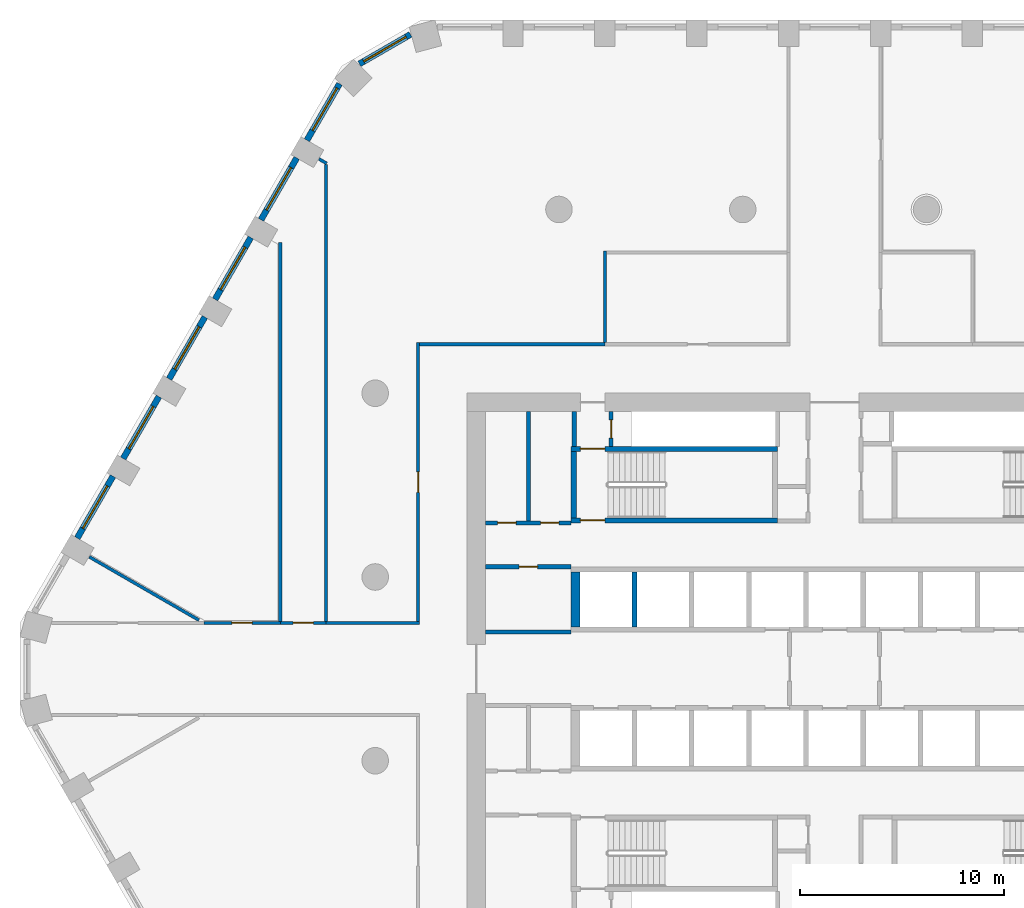
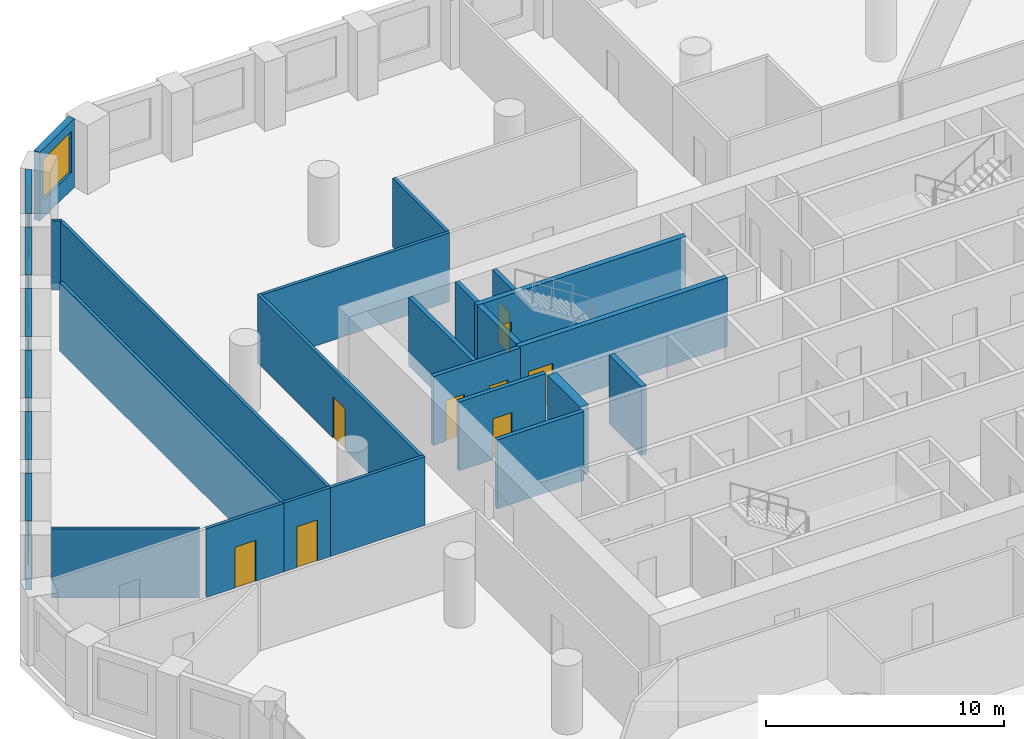
# One storey, part 5 of 14: 28 walls, 9 doors, 7 windows, 16 openings.
"""IFC4 building model written with IfcOpenShell, lengths in metres."""

import ifcopenshell
import ifcopenshell.guid

model = None  # the IFC model being written
_history = None  # IfcOwnerHistory: only IFC2X3 demands one
_inside = {}  # id of a spatial element -> (the spatial element, [elements in it])
_under = {}  # id of a project, library or spatial element -> (it, [spatial elements below it])
_declared = {}  # id of a project -> (the project, [libraries it declares])
_typed = {}  # id of a type object -> (the type object, [elements of that type])
_made_of = {}  # id of a material, layer set ... -> (it, [elements and type objects made of it])


def new_model(schema):
    """Start an empty IFC model of exactly this schema.

    Asked for "IFC4X3", IfcOpenShell would pick the latest addendum, in which some entities
    have other attributes; the version numbers below select the first issue.
    IFC2X3 requires an IfcOwnerHistory on every rooted entity: one is made here for all.
    """
    global model, _history
    if schema == "IFC4X3":
        model = ifcopenshell.file(schema_version=(4, 3, 0, 0))
    else:
        model = ifcopenshell.file(schema=schema)
    _inside.clear()
    _under.clear()
    _declared.clear()
    _typed.clear()
    _made_of.clear()
    _history = None
    if model.schema == "IFC2X3":
        org = make("IfcOrganization", Name="unknown")
        user = make(
            "IfcPersonAndOrganization",
            ThePerson=make("IfcPerson", FamilyName="unknown"),
            TheOrganization=org,
        )
        app = make(
            "IfcApplication",
            ApplicationDeveloper=org,
            Version="unknown",
            ApplicationFullName="unknown",
            ApplicationIdentifier="unknown",
        )
        _history = make(
            "IfcOwnerHistory",
            OwningUser=user,
            OwningApplication=app,
            ChangeAction="ADDED",
            CreationDate=0,
        )
    return model


def make(cls, **values):
    """One entity of the class cls with the attributes given. An attribute that is None is left unset."""
    return model.create_entity(
        cls, **{name: value for name, value in values.items() if value is not None}
    )


def rooted(cls, **values):
    """An entity with a GlobalId (a new one), such as an element, a storey or a relation."""
    return make(cls, GlobalId=ifcopenshell.guid.new(), OwnerHistory=_history, **values)


def si_unit(unit_type, name, prefix=None):
    """IfcSIUnit, for example si_unit("LENGTHUNIT", "METRE", prefix="MILLI")."""
    return make("IfcSIUnit", UnitType=unit_type, Prefix=prefix, Name=name)


def assignment(units):
    """IfcUnitAssignment: the units of a project."""
    return None if units is None else make("IfcUnitAssignment", Units=units)


def point(xyz):
    """IfcCartesianPoint."""
    return None if xyz is None else make("IfcCartesianPoint", Coordinates=xyz)


def direction(xyz):
    """IfcDirection."""
    return None if xyz is None else make("IfcDirection", DirectionRatios=xyz)


def frame(location, z_axis=None, x_axis=None):
    """IfcAxis2Placement3D, a coordinate frame: its origin and axes. An axis left out is left unset."""
    return make(
        "IfcAxis2Placement3D",
        Location=point(location),
        Axis=direction(z_axis),
        RefDirection=direction(x_axis),
    )


def frame_2d(location, x_axis=None):
    """IfcAxis2Placement2D, a coordinate frame in the plane: its origin and x axis."""
    return make(
        "IfcAxis2Placement2D", Location=point(location), RefDirection=direction(x_axis)
    )


def origin():
    """The frame at (0, 0, 0) with its axes left unset."""
    return frame((0.0, 0.0, 0.0))


def place(relative_to, where):
    """IfcLocalPlacement: puts the frame where relative to a parent placement (None: the world)."""
    return make(
        "IfcLocalPlacement", PlacementRelTo=relative_to, RelativePlacement=where
    )


def context(
    kind, dimensions, precision=None, world=None, true_north=None, identifier=None
):
    """IfcGeometricRepresentationContext, for example the 3D "Model" context."""
    return make(
        "IfcGeometricRepresentationContext",
        ContextIdentifier=identifier,
        ContextType=kind,
        CoordinateSpaceDimension=dimensions,
        Precision=precision,
        WorldCoordinateSystem=world,
        TrueNorth=true_north,
    )


def subcontext(parent, identifier, kind, view, scale=None):
    """IfcGeometricRepresentationSubContext, for example "Body" below "Model"."""
    return make(
        "IfcGeometricRepresentationSubContext",
        ContextIdentifier=identifier,
        ContextType=kind,
        ParentContext=parent,
        TargetScale=scale,
        TargetView=view,
    )


def project(units=None, contexts=None):
    """IfcProject with its units and contexts."""
    return rooted(
        "IfcProject",
        Name="project",
        RepresentationContexts=contexts,
        UnitsInContext=assignment(units),
    )


def spatial(cls, under=None, at=None, **own):
    """A site, building, storey or space (cls), placed at a placement, below another one or the project."""
    s = rooted(cls, ObjectPlacement=at, **own)
    if under is not None:
        _under.setdefault(under.id(), (under, []))[1].append(s)
    return s


def polyline(points):
    """IfcPolyline through the points."""
    return make("IfcPolyline", Points=[point(p) for p in points])


def profile(cls, at=None, kind="AREA", **sizes):
    """A parametric profile (cls). Its sizes go by their IFC names, for example OverallWidth=200.0."""
    return make(cls, ProfileType=kind, Position=at, **sizes)


def rectangle(**sizes):
    """IfcRectangleProfileDef."""
    return profile("IfcRectangleProfileDef", **sizes)


def outline(outer, holes=None, kind="AREA"):
    """IfcArbitraryClosedProfileDef: a profile drawn as a closed curve; with holes, ...WithVoids."""
    if holes is None:
        return make("IfcArbitraryClosedProfileDef", ProfileType=kind, OuterCurve=outer)
    return make(
        "IfcArbitraryProfileDefWithVoids",
        ProfileType=kind,
        OuterCurve=outer,
        InnerCurves=holes,
    )


def extrude(swept, where, along, depth):
    """IfcExtrudedAreaSolid: the profile swept, set in the frame where, extruded along a direction by depth."""
    return make(
        "IfcExtrudedAreaSolid",
        SweptArea=swept,
        Position=where,
        ExtrudedDirection=direction(along),
        Depth=depth,
    )


def shape(context_of_items, identifier, shape_type, items):
    """IfcShapeRepresentation: the items that make up one representation, for example the "Body"."""
    return make(
        "IfcShapeRepresentation",
        ContextOfItems=context_of_items,
        RepresentationIdentifier=identifier,
        RepresentationType=shape_type,
        Items=items,
    )


def material(Name=None, Category=None):
    """IfcMaterial."""
    return make("IfcMaterial", Name=Name, Category=Category)


def layer(
    of_material, thickness, ventilated=None, Name=None, Category=None, Priority=None
):
    """IfcMaterialLayer: one layer of a wall or slab, of a material (None: an air gap)."""
    return make(
        "IfcMaterialLayer",
        Material=of_material,
        LayerThickness=thickness,
        IsVentilated=ventilated,
        Name=Name,
        Category=Category,
        Priority=Priority,
    )


def layer_set(layers, Name=None):
    """IfcMaterialLayerSet."""
    return make("IfcMaterialLayerSet", MaterialLayers=layers, LayerSetName=Name)


def made_of(thing, what):
    """Note that an element or type object is made of a material, layer set ...; save() writes the relation."""
    if what is not None:
        _made_of.setdefault(what.id(), (what, []))[1].append(thing)
    return thing


def type_object(cls, material=None, **own):
    """A type object (cls), such as IfcWallType, which elements share."""
    return made_of(rooted(cls, **own), material)


def element(
    cls,
    number,
    at=None,
    inside=None,
    cuts=None,
    type_object=None,
    material=None,
    context=None,
    identifier="Body",
    shape_type=None,
    held_by="IfcProductDefinitionShape",
    body=None,
    shapes=None,
    **own,
):
    """One element of the class cls, such as IfcWall. Its Tag is "e" and its number.

    at: its placement. inside: the storey or other place that contains it. cuts: it is an
    opening in that element (IfcRelVoidsElement). A single representation is given by context,
    identifier, shape_type and body (its items); several are given by shapes. held_by: the class
    of the entity that holds the representations. save() writes the other relations.
    """
    e = rooted(cls, Tag="e%d" % number, ObjectPlacement=at, **own)
    if body is not None:
        shapes = [shape(context, identifier, shape_type, body)]
    if shapes is not None:
        e.Representation = make(held_by, Representations=shapes)
    if inside is not None:
        _inside.setdefault(inside.id(), (inside, []))[1].append(e)
    if cuts is not None:
        rooted(
            "IfcRelVoidsElement", RelatingBuildingElement=cuts, RelatedOpeningElement=e
        )
    if type_object is not None:
        _typed.setdefault(type_object.id(), (type_object, []))[1].append(e)
    return made_of(e, material)


def fill(opening, filler):
    """IfcRelFillsElement: the door or window that sits in an opening."""
    return rooted(
        "IfcRelFillsElement",
        RelatingOpeningElement=opening,
        RelatedBuildingElement=filler,
    )


def aggregate(whole, parts):
    """IfcRelAggregates: a whole, such as a stair, and the parts it consists of."""
    return rooted("IfcRelAggregates", RelatingObject=whole, RelatedObjects=parts)


def save(model, path):
    """Write the relations noted so far, then the file.

    IfcRelAggregates (storeys below a building ...), IfcRelContainedInSpatialStructure (elements
    in a storey), IfcRelDefinesByType, IfcRelAssociatesMaterial and IfcRelDeclares: one each for
    every whole, place, type object, material and project.
    """
    for whole, parts in _under.values():
        aggregate(whole, parts)
    for where, things in _inside.values():
        rooted(
            "IfcRelContainedInSpatialStructure",
            RelatedElements=things,
            RelatingStructure=where,
        )
    for kind, things in _typed.values():
        rooted("IfcRelDefinesByType", RelatedObjects=things, RelatingType=kind)
    for what, things in _made_of.values():
        rooted("IfcRelAssociatesMaterial", RelatedObjects=things, RelatingMaterial=what)
    for by, libraries in _declared.values():
        rooted("IfcRelDeclares", RelatingContext=by, RelatedDefinitions=libraries)
    model.write(path)


model = new_model("IFC4")

# Units and contexts
model_context = context("Model", 3, precision=1e-05, world=origin(), true_north=direction((0.0, 1.0)))
body_context = subcontext(model_context, "Body", "Model", "MODEL_VIEW")
ifc_project = project(units=[si_unit("LENGTHUNIT", "METRE"), si_unit("AREAUNIT", "SQUARE_METRE"), si_unit("VOLUMEUNIT", "CUBIC_METRE"), si_unit("PLANEANGLEUNIT", "RADIAN"), si_unit("MASSUNIT", "GRAM", prefix="KILO")], contexts=[model_context])

# Site, building, storey
site_placement = place(None, origin())
site = spatial("IfcSite", under=ifc_project, at=site_placement, CompositionType="ELEMENT")
building_placement = place(site_placement, origin())
building = spatial("IfcBuilding", under=site, at=building_placement, Name="Dhurran Vertical Campus", CompositionType="ELEMENT")
storey_placement = place(building_placement, frame((0.0, 0.0, 93.0)))
storey = spatial("IfcBuildingStorey", under=building, at=storey_placement, Name="L22", CompositionType="ELEMENT", Elevation=93.0)

# Wall, opening, window
ifc_material_1 = material(Name="Precast concrete C50/60", Category="concrete")
ifc_layer_1 = layer(ifc_material_1, 0.300048828125)
ifc_layer_set_1 = layer_set([ifc_layer_1], Name="Precast concrete C50/60")
wall_type_1 = type_object("IfcWallType", Name="Precast spandrel wall 300", PredefinedType="SOLIDWALL", material=ifc_layer_set_1)
wall_1_placement = place(storey_placement, frame((-20.774169921875, 31.072998046875, 0.0), z_axis=(0.0, 0.0, 1.0), x_axis=(-0.866053149362, -0.49995194017, 0.0)))
wall_1 = element("IfcWall", 1, at=wall_1_placement, inside=storey, type_object=wall_type_1, Name="EW1 L22.35", PredefinedType="SOLIDWALL", context=body_context, shape_type="SweptSolid", body=[
    extrude(rectangle(XDim=2.885498046875, YDim=0.300048828125, at=frame_2d((1.44287109375, 0.0))), origin(), (0.0, 0.0, 1.0), 3.52490234375),
])
opening_1_placement = place(wall_1_placement, frame((0.242919921875, 0.0, 0.89990234375)))
opening_1 = element("IfcOpeningElement", 2, at=opening_1_placement, cuts=wall_1, Name="Opening WT1", PredefinedType="OPENING", context=body_context, shape_type="SweptSolid", body=[
    extrude(rectangle(XDim=2.39990234375, YDim=2.10009765625, at=frame_2d((1.199951171875, 1.050048828125))), frame((0.0, 0.159912109375, 0.0), z_axis=(0.0, -1.0, 0.0), x_axis=(1.0, 0.0, 0.0)), (0.0, 0.0, 1.0), 0.320068359375),
])
ifc_material_2 = material(Name="Aluminium frame with solar-control glass", Category="aluminium")
window_type = type_object("IfcWindowType", Name="Punched window 2400 x 2100", PartitioningType="SINGLE_PANEL", PredefinedType="WINDOW", material=ifc_material_2)
window_1_placement = place(opening_1_placement, origin())
window_1 = element("IfcWindow", 3, at=window_1_placement, inside=storey, type_object=window_type, Name="WT1 L22.35", OverallHeight=2.10009765625, OverallWidth=2.39990234375, PartitioningType="SINGLE_PANEL", PredefinedType="WINDOW", context=body_context, shape_type="SweptSolid", body=[
    extrude(rectangle(XDim=2.39990234375, YDim=2.10009765625, at=frame_2d((1.199951171875, 1.050048828125))), frame((0.0, 0.030029296875, 0.0), z_axis=(0.0, -1.0, 0.0), x_axis=(1.0, 0.0, 0.0)), (0.0, 0.0, 1.0), 0.06005859375),
])
fill(opening_1, window_1)

wall_2_placement = place(storey_placement, frame((-24.24755859375, 28.65576171875, 0.0), z_axis=(0.0, 0.0, 1.0), x_axis=(-0.500004907028, -0.866022570692, 0.0)))
wall_2 = element("IfcWall", 4, at=wall_2_placement, inside=storey, type_object=wall_type_1, Name="EW1 L22.36", PredefinedType="SOLIDWALL", context=body_context, shape_type="SweptSolid", body=[
    extrude(rectangle(XDim=3.1923828125, YDim=0.300048828125, at=frame_2d((1.59619140625, 0.0))), origin(), (0.0, 0.0, 1.0), 3.52490234375),
])
opening_2_placement = place(wall_2_placement, frame((0.242919921875, 0.0, 0.89990234375)))
opening_2 = element("IfcOpeningElement", 5, at=opening_2_placement, cuts=wall_2, Name="Opening WT1", PredefinedType="OPENING", context=body_context, shape_type="SweptSolid", body=[
    extrude(rectangle(XDim=2.39990234375, YDim=2.10009765625, at=frame_2d((1.199951171875, 1.050048828125))), frame((0.0, 0.159912109375, 0.0), z_axis=(0.0, -1.0, 0.0), x_axis=(1.0, 0.0, 0.0)), (0.0, 0.0, 1.0), 0.320068359375),
])
window_2_placement = place(opening_2_placement, origin())
window_2 = element("IfcWindow", 6, at=window_2_placement, inside=storey, type_object=window_type, Name="WT1 L22.36", OverallHeight=2.10009765625, OverallWidth=2.39990234375, PartitioningType="SINGLE_PANEL", PredefinedType="WINDOW", context=body_context, shape_type="SweptSolid", body=[
    extrude(rectangle(XDim=2.39990234375, YDim=2.10009765625, at=frame_2d((1.199951171875, 1.050048828125))), frame((0.0, 0.030029296875, 0.0), z_axis=(0.0, -1.0, 0.0), x_axis=(1.0, 0.0, 0.0)), (0.0, 0.0, 1.0), 0.06005859375),
])
fill(opening_2, window_2)

wall_3_placement = place(storey_placement, frame((-26.34423828125, 25.024169921875, 0.0), z_axis=(0.0, 0.0, 1.0), x_axis=(-0.499996256241, -0.866027565234, 0.0)))
wall_3 = element("IfcWall", 7, at=wall_3_placement, inside=storey, type_object=wall_type_1, Name="EW1 L22.37", PredefinedType="SOLIDWALL", context=body_context, shape_type="SweptSolid", body=[
    extrude(rectangle(XDim=3.4990234375, YDim=0.300048828125, at=frame_2d((1.74951171875, 0.0))), origin(), (0.0, 0.0, 1.0), 3.52490234375),
])
opening_3_placement = place(wall_3_placement, frame((0.549560546875, 0.0, 0.89990234375)))
opening_3 = element("IfcOpeningElement", 8, at=opening_3_placement, cuts=wall_3, Name="Opening WT1", PredefinedType="OPENING", context=body_context, shape_type="SweptSolid", body=[
    extrude(rectangle(XDim=2.39990234375, YDim=2.10009765625, at=frame_2d((1.199951171875, 1.050048828125))), frame((0.0, 0.159912109375, 0.0), z_axis=(0.0, -1.0, 0.0), x_axis=(1.0, 0.0, 0.0)), (0.0, 0.0, 1.0), 0.320068359375),
])
window_3_placement = place(opening_3_placement, origin())
window_3 = element("IfcWindow", 9, at=window_3_placement, inside=storey, type_object=window_type, Name="WT1 L22.37", OverallHeight=2.10009765625, OverallWidth=2.39990234375, PartitioningType="SINGLE_PANEL", PredefinedType="WINDOW", context=body_context, shape_type="SweptSolid", body=[
    extrude(rectangle(XDim=2.39990234375, YDim=2.10009765625, at=frame_2d((1.199951171875, 1.050048828125))), frame((0.0, 0.030029296875, 0.0), z_axis=(0.0, -1.0, 0.0), x_axis=(1.0, 0.0, 0.0)), (0.0, 0.0, 1.0), 0.06005859375),
])
fill(opening_3, window_3)

wall_4_placement = place(storey_placement, frame((-28.59423828125, 21.127197265625, 0.0), z_axis=(0.0, 0.0, 1.0), x_axis=(-0.499996256241, -0.866027565234, 0.0)))
wall_4 = element("IfcWall", 10, at=wall_4_placement, inside=storey, type_object=wall_type_1, Name="EW1 L22.38", PredefinedType="SOLIDWALL", context=body_context, shape_type="SweptSolid", body=[
    extrude(rectangle(XDim=3.4990234375, YDim=0.300048828125, at=frame_2d((1.74951171875, 0.0))), origin(), (0.0, 0.0, 1.0), 3.52490234375),
])
opening_4_placement = place(wall_4_placement, frame((0.549560546875, 0.0, 0.89990234375)))
opening_4 = element("IfcOpeningElement", 11, at=opening_4_placement, cuts=wall_4, Name="Opening WT1", PredefinedType="OPENING", context=body_context, shape_type="SweptSolid", body=[
    extrude(rectangle(XDim=2.39990234375, YDim=2.10009765625, at=frame_2d((1.199951171875, 1.050048828125))), frame((0.0, 0.159912109375, 0.0), z_axis=(0.0, -1.0, 0.0), x_axis=(1.0, 0.0, 0.0)), (0.0, 0.0, 1.0), 0.320068359375),
])
window_4_placement = place(opening_4_placement, origin())
window_4 = element("IfcWindow", 12, at=window_4_placement, inside=storey, type_object=window_type, Name="WT1 L22.38", OverallHeight=2.10009765625, OverallWidth=2.39990234375, PartitioningType="SINGLE_PANEL", PredefinedType="WINDOW", context=body_context, shape_type="SweptSolid", body=[
    extrude(rectangle(XDim=2.39990234375, YDim=2.10009765625, at=frame_2d((1.199951171875, 1.050048828125))), frame((0.0, 0.030029296875, 0.0), z_axis=(0.0, -1.0, 0.0), x_axis=(1.0, 0.0, 0.0)), (0.0, 0.0, 1.0), 0.06005859375),
])
fill(opening_4, window_4)

wall_5_placement = place(storey_placement, frame((-30.84423828125, 17.22998046875, 0.0), z_axis=(0.0, 0.0, 1.0), x_axis=(-0.499996256241, -0.866027565234, 0.0)))
wall_5 = element("IfcWall", 13, at=wall_5_placement, inside=storey, type_object=wall_type_1, Name="EW1 L22.39", PredefinedType="SOLIDWALL", context=body_context, shape_type="SweptSolid", body=[
    extrude(rectangle(XDim=3.4990234375, YDim=0.300048828125, at=frame_2d((1.74951171875, 0.0))), origin(), (0.0, 0.0, 1.0), 3.52490234375),
])
opening_5_placement = place(wall_5_placement, frame((0.549560546875, 0.0, 0.89990234375)))
opening_5 = element("IfcOpeningElement", 14, at=opening_5_placement, cuts=wall_5, Name="Opening WT1", PredefinedType="OPENING", context=body_context, shape_type="SweptSolid", body=[
    extrude(rectangle(XDim=2.39990234375, YDim=2.10009765625, at=frame_2d((1.199951171875, 1.050048828125))), frame((0.0, 0.159912109375, 0.0), z_axis=(0.0, -1.0, 0.0), x_axis=(1.0, 0.0, 0.0)), (0.0, 0.0, 1.0), 0.320068359375),
])
window_5_placement = place(opening_5_placement, origin())
window_5 = element("IfcWindow", 15, at=window_5_placement, inside=storey, type_object=window_type, Name="WT1 L22.39", OverallHeight=2.10009765625, OverallWidth=2.39990234375, PartitioningType="SINGLE_PANEL", PredefinedType="WINDOW", context=body_context, shape_type="SweptSolid", body=[
    extrude(rectangle(XDim=2.39990234375, YDim=2.10009765625, at=frame_2d((1.199951171875, 1.050048828125))), frame((0.0, 0.030029296875, 0.0), z_axis=(0.0, -1.0, 0.0), x_axis=(1.0, 0.0, 0.0)), (0.0, 0.0, 1.0), 0.06005859375),
])
fill(opening_5, window_5)

wall_6_placement = place(storey_placement, frame((-33.09423828125, 13.3330078125, 0.0), z_axis=(0.0, 0.0, 1.0), x_axis=(-0.499996256241, -0.866027565234, 0.0)))
wall_6 = element("IfcWall", 16, at=wall_6_placement, inside=storey, type_object=wall_type_1, Name="EW1 L22.40", PredefinedType="SOLIDWALL", context=body_context, shape_type="SweptSolid", body=[
    extrude(rectangle(XDim=3.4990234375, YDim=0.300048828125, at=frame_2d((1.74951171875, 0.0))), origin(), (0.0, 0.0, 1.0), 3.52490234375),
])
opening_6_placement = place(wall_6_placement, frame((0.549560546875, 0.0, 0.89990234375)))
opening_6 = element("IfcOpeningElement", 17, at=opening_6_placement, cuts=wall_6, Name="Opening WT1", PredefinedType="OPENING", context=body_context, shape_type="SweptSolid", body=[
    extrude(rectangle(XDim=2.39990234375, YDim=2.10009765625, at=frame_2d((1.199951171875, 1.050048828125))), frame((0.0, 0.159912109375, 0.0), z_axis=(0.0, -1.0, 0.0), x_axis=(1.0, 0.0, 0.0)), (0.0, 0.0, 1.0), 0.320068359375),
])
window_6_placement = place(opening_6_placement, origin())
window_6 = element("IfcWindow", 18, at=window_6_placement, inside=storey, type_object=window_type, Name="WT1 L22.40", OverallHeight=2.10009765625, OverallWidth=2.39990234375, PartitioningType="SINGLE_PANEL", PredefinedType="WINDOW", context=body_context, shape_type="SweptSolid", body=[
    extrude(rectangle(XDim=2.39990234375, YDim=2.10009765625, at=frame_2d((1.199951171875, 1.050048828125))), frame((0.0, 0.030029296875, 0.0), z_axis=(0.0, -1.0, 0.0), x_axis=(1.0, 0.0, 0.0)), (0.0, 0.0, 1.0), 0.06005859375),
])
fill(opening_6, window_6)

wall_7_placement = place(storey_placement, frame((-35.34423828125, 9.435791015625, 0.0), z_axis=(0.0, 0.0, 1.0), x_axis=(-0.499996256241, -0.866027565234, 0.0)))
wall_7 = element("IfcWall", 19, at=wall_7_placement, inside=storey, type_object=wall_type_1, Name="EW1 L22.41", PredefinedType="SOLIDWALL", context=body_context, shape_type="SweptSolid", body=[
    extrude(rectangle(XDim=3.4990234375, YDim=0.300048828125, at=frame_2d((1.74951171875, 0.0))), origin(), (0.0, 0.0, 1.0), 3.52490234375),
])
opening_7_placement = place(wall_7_placement, frame((0.549560546875, 0.0, 0.89990234375)))
opening_7 = element("IfcOpeningElement", 20, at=opening_7_placement, cuts=wall_7, Name="Opening WT1", PredefinedType="OPENING", context=body_context, shape_type="SweptSolid", body=[
    extrude(rectangle(XDim=2.39990234375, YDim=2.10009765625, at=frame_2d((1.199951171875, 1.050048828125))), frame((0.0, 0.159912109375, 0.0), z_axis=(0.0, -1.0, 0.0), x_axis=(1.0, 0.0, 0.0)), (0.0, 0.0, 1.0), 0.320068359375),
])
window_7_placement = place(opening_7_placement, origin())
window_7 = element("IfcWindow", 21, at=window_7_placement, inside=storey, type_object=window_type, Name="WT1 L22.41", OverallHeight=2.10009765625, OverallWidth=2.39990234375, PartitioningType="SINGLE_PANEL", PredefinedType="WINDOW", context=body_context, shape_type="SweptSolid", body=[
    extrude(rectangle(XDim=2.39990234375, YDim=2.10009765625, at=frame_2d((1.199951171875, 1.050048828125))), frame((0.0, 0.030029296875, 0.0), z_axis=(0.0, -1.0, 0.0), x_axis=(1.0, 0.0, 0.0)), (0.0, 0.0, 1.0), 0.06005859375),
])
fill(opening_7, window_7)

# Wall
ifc_material_3 = material(Name="Fire-rated masonry blockwork", Category="masonry")
ifc_layer_2 = layer(ifc_material_3, 0.199951171875)
ifc_layer_set_2 = layer_set([ifc_layer_2], Name="Fire-rated masonry blockwork")
wall_type_2 = type_object("IfcWallType", Name="co-FIRE-PARTITION-200", PredefinedType="PARTITIONING", material=ifc_layer_set_2)
wall_8_placement = place(storey_placement, frame((-12.75, 10.89990234375, 0.0), z_axis=(0.0, 0.0, 1.0), x_axis=(0.0, 1.0, 0.0)))
element("IfcWall", 22, at=wall_8_placement, inside=storey, type_object=wall_type_2, Name="Core partition pass-ST1-o L22", PredefinedType="PARTITIONING", context=body_context, shape_type="SweptSolid", body=[
    extrude(rectangle(XDim=1.7001953125, YDim=0.199951171875, at=frame_2d((0.85009765625, 0.0))), origin(), (0.0, 0.0, 1.0), 3.52490234375),
])

# Wall, opening, door
wall_9_placement = place(storey_placement, frame((-10.949951171875, 10.89990234375, 0.0), z_axis=(0.0, 0.0, 1.0), x_axis=(0.0, 1.0, 0.0)))
wall_9 = element("IfcWall", 23, at=wall_9_placement, inside=storey, type_object=wall_type_2, Name="Core partition pass-ST1-i L22", PredefinedType="PARTITIONING", context=body_context, shape_type="SweptSolid", body=[
    extrude(rectangle(XDim=1.7001953125, YDim=0.199951171875, at=frame_2d((0.85009765625, 0.0))), origin(), (0.0, 0.0, 1.0), 3.52490234375),
])
opening_8_placement = place(wall_9_placement, frame((0.39990234375, 0.0, 0.0)))
opening_8 = element("IfcOpeningElement", 24, at=opening_8_placement, cuts=wall_9, Name="Opening T06-C8", PredefinedType="OPENING", context=body_context, shape_type="SweptSolid", body=[
    extrude(rectangle(XDim=0.89990234375, YDim=2.10009765625, at=frame_2d((0.449951171875, 1.050048828125))), frame((0.0, 0.10986328125, 0.0), z_axis=(0.0, -1.0, 0.0), x_axis=(1.0, 0.0, 0.0)), (0.0, 0.0, 1.0), 0.219970703125),
])
ifc_material_4 = material(Name="Fire-rated timber door set", Category="wood")
door_type_1 = type_object("IfcDoorType", Name="co-D-ROOM 900x2100", OperationType="SINGLE_SWING_LEFT", PredefinedType="DOOR", material=ifc_material_4)
door_1_placement = place(opening_8_placement, origin())
door_1 = element("IfcDoor", 25, at=door_1_placement, inside=storey, type_object=door_type_1, Name="Riser room door L22", OperationType="SINGLE_SWING_LEFT", OverallHeight=2.10009765625, OverallWidth=0.89990234375, PredefinedType="DOOR", context=body_context, shape_type="SweptSolid", body=[
    extrude(rectangle(XDim=0.89990234375, YDim=2.10009765625, at=frame_2d((0.449951171875, 1.050048828125))), frame((0.0, 0.02490234375, 0.0), z_axis=(0.0, -1.0, 0.0), x_axis=(1.0, 0.0, 0.0)), (0.0, 0.0, 1.0), 0.050048828125),
])
fill(opening_8, door_1)

# Wall
wall_10_placement = place(storey_placement, frame((-15.0, 7.14990234375, 0.0), z_axis=(0.0, 0.0, 1.0), x_axis=(0.0, 1.0, 0.0)))
element("IfcWall", 26, at=wall_10_placement, inside=storey, type_object=wall_type_2, Name="Core partition en-NW-cut0 L22", PredefinedType="PARTITIONING", context=body_context, shape_type="SweptSolid", body=[
    extrude(rectangle(XDim=5.4501953125, YDim=0.199951171875, at=frame_2d((2.72509765625, 0.0))), origin(), (0.0, 0.0, 1.0), 3.52490234375),
])

# Wall, openings, doors
wall_11_placement = place(storey_placement, frame((-17.10009765625, 7.14990234375, 0.0), z_axis=(0.0, 0.0, 1.0), x_axis=(1.0, 0.0, 0.0)))
wall_11 = element("IfcWall", 27, at=wall_11_placement, inside=storey, type_object=wall_type_2, Name="Core partition en-NW-w L22", PredefinedType="PARTITIONING", context=body_context, shape_type="SweptSolid", body=[
    extrude(rectangle(XDim=4.2001953125, YDim=0.199951171875, at=frame_2d((2.10009765625, 0.0))), origin(), (0.0, 0.0, 1.0), 3.52490234375),
])
opening_9_placement = place(wall_11_placement, frame((0.60009765625, 0.0, 0.0)))
opening_9 = element("IfcOpeningElement", 28, at=opening_9_placement, cuts=wall_11, Name="Opening T06-C12", PredefinedType="OPENING", context=body_context, shape_type="SweptSolid", body=[
    extrude(rectangle(XDim=0.89990234375, YDim=2.10009765625, at=frame_2d((0.449951171875, 1.050048828125))), frame((0.0, 0.10986328125, 0.0), z_axis=(0.0, -1.0, 0.0), x_axis=(1.0, 0.0, 0.0)), (0.0, 0.0, 1.0), 0.219970703125),
])
opening_10_placement = place(wall_11_placement, frame((2.699951171875, 0.0, 0.0)))
opening_10 = element("IfcOpeningElement", 29, at=opening_10_placement, cuts=wall_11, Name="Opening T06-C13", PredefinedType="OPENING", context=body_context, shape_type="SweptSolid", body=[
    extrude(rectangle(XDim=0.89990234375, YDim=2.10009765625, at=frame_2d((0.449951171875, 1.050048828125))), frame((0.0, 0.10986328125, 0.0), z_axis=(0.0, -1.0, 0.0), x_axis=(1.0, 0.0, 0.0)), (0.0, 0.0, 1.0), 0.219970703125),
])
door_2_placement = place(opening_9_placement, origin())
door_2 = element("IfcDoor", 30, at=door_2_placement, inside=storey, type_object=door_type_1, Name="Housekeeping store door L22", OperationType="SINGLE_SWING_LEFT", OverallHeight=2.10009765625, OverallWidth=0.89990234375, PredefinedType="DOOR", context=body_context, shape_type="SweptSolid", body=[
    extrude(rectangle(XDim=0.89990234375, YDim=2.10009765625, at=frame_2d((0.449951171875, 1.050048828125))), frame((0.0, 0.02490234375, 0.0), z_axis=(0.0, -1.0, 0.0), x_axis=(1.0, 0.0, 0.0)), (0.0, 0.0, 1.0), 0.050048828125),
])
fill(opening_9, door_2)
door_3_placement = place(opening_10_placement, origin())
door_3 = element("IfcDoor", 31, at=door_3_placement, inside=storey, type_object=door_type_1, Name="Waste room door L22", OperationType="SINGLE_SWING_LEFT", OverallHeight=2.10009765625, OverallWidth=0.89990234375, PredefinedType="DOOR", context=body_context, shape_type="SweptSolid", body=[
    extrude(rectangle(XDim=0.89990234375, YDim=2.10009765625, at=frame_2d((0.449951171875, 1.050048828125))), frame((0.0, 0.02490234375, 0.0), z_axis=(0.0, -1.0, 0.0), x_axis=(1.0, 0.0, 0.0)), (0.0, 0.0, 1.0), 0.050048828125),
])
fill(opening_10, door_3)

# Wall, opening, door
wall_12_placement = place(storey_placement, frame((-17.10009765625, 5.0, 0.0), z_axis=(0.0, 0.0, 1.0), x_axis=(1.0, 0.0, 0.0)))
wall_12 = element("IfcWall", 32, at=wall_12_placement, inside=storey, type_object=wall_type_2, Name="Core partition es-NW-w L22", PredefinedType="PARTITIONING", context=body_context, shape_type="SweptSolid", body=[
    extrude(rectangle(XDim=4.2001953125, YDim=0.199951171875, at=frame_2d((2.10009765625, 0.0))), origin(), (0.0, 0.0, 1.0), 3.52490234375),
])
opening_11_placement = place(wall_12_placement, frame((1.64990234375, 0.0, 0.0)))
opening_11 = element("IfcOpeningElement", 33, at=opening_11_placement, cuts=wall_12, Name="Opening T06-C14", PredefinedType="OPENING", context=body_context, shape_type="SweptSolid", body=[
    extrude(rectangle(XDim=0.89990234375, YDim=2.10009765625, at=frame_2d((0.449951171875, 1.050048828125))), frame((0.0, 0.10986328125, 0.0), z_axis=(0.0, -1.0, 0.0), x_axis=(1.0, 0.0, 0.0)), (0.0, 0.0, 1.0), 0.219970703125),
])
door_4_placement = place(opening_11_placement, origin())
door_4 = element("IfcDoor", 34, at=door_4_placement, inside=storey, type_object=door_type_1, Name="Water riser door L22", OperationType="SINGLE_SWING_LEFT", OverallHeight=2.10009765625, OverallWidth=0.89990234375, PredefinedType="DOOR", context=body_context, shape_type="SweptSolid", body=[
    extrude(rectangle(XDim=0.89990234375, YDim=2.10009765625, at=frame_2d((0.449951171875, 1.050048828125))), frame((0.0, 0.02490234375, 0.0), z_axis=(0.0, -1.0, 0.0), x_axis=(1.0, 0.0, 0.0)), (0.0, 0.0, 1.0), 0.050048828125),
])
fill(opening_11, door_4)

# Walls
wall_13_placement = place(storey_placement, frame((-17.10009765625, 1.800048828125, 0.0), z_axis=(0.0, 0.0, 1.0), x_axis=(1.0, 0.0, 0.0)))
element("IfcWall", 35, at=wall_13_placement, inside=storey, type_object=wall_type_2, Name="Core partition es-NW-l L22", PredefinedType="PARTITIONING", context=body_context, shape_type="SweptSolid", body=[
    extrude(rectangle(XDim=4.2001953125, YDim=0.199951171875, at=frame_2d((2.10009765625, 0.0))), origin(), (0.0, 0.0, 1.0), 3.52490234375),
])
ifc_material_5 = material(Name="Concrete C50/60", Category="concrete")
ifc_layer_3 = layer(ifc_material_5, 0.25)
ifc_layer_set_3 = layer_set([ifc_layer_3], Name="Concrete C50/60")
wall_type_3 = type_object("IfcWallType", Name="co-SHAFT-MASS-250", PredefinedType="SHEAR", material=ifc_layer_set_3)
wall_14_placement = place(storey_placement, origin())
element("IfcWall", 36, at=wall_14_placement, inside=storey, type_object=wall_type_3, Name="Lift shaft wall N L22 2", PredefinedType="SHEAR", context=body_context, shape_type="SweptSolid", body=[
    extrude(outline(polyline([(-12.89990234375, 2.050048828125), (-12.47509765625, 2.050048828125), (-12.47509765625, 4.75), (-12.89990234375, 4.75), (-12.89990234375, 2.050048828125)])), origin(), (0.0, 0.0, 1.0), 3.52490234375),
])
wall_15_placement = place(storey_placement, origin())
element("IfcWall", 37, at=wall_15_placement, inside=storey, type_object=wall_type_3, Name="Lift shaft wall N L22 3", PredefinedType="SHEAR", context=body_context, shape_type="SweptSolid", body=[
    extrude(outline(polyline([(-9.925048828125, 2.050048828125), (-9.675048828125, 2.050048828125), (-9.675048828125, 4.75), (-9.925048828125, 4.75), (-9.925048828125, 2.050048828125)])), origin(), (0.0, 0.0, 1.0), 3.52490234375),
])

# Wall, opening, door
ifc_material_6 = material(Name="Concrete C40/50", Category="concrete")
ifc_layer_4 = layer(ifc_material_6, 0.25)
ifc_layer_set_4 = layer_set([ifc_layer_4], Name="Concrete C40/50")
wall_type_4 = type_object("IfcWallType", Name="co-STAIR-WALL-250", PredefinedType="SHEAR", material=ifc_layer_set_4)
wall_16_placement = place(storey_placement, frame((-12.89990234375, 7.27490234375, 0.0), z_axis=(0.0, 0.0, 1.0), x_axis=(1.0, 0.0, 0.0)))
wall_16 = element("IfcWall", 38, at=wall_16_placement, inside=storey, type_object=wall_type_4, Name="Stair ST1 enclosure wall L22", PredefinedType="SHEAR", context=body_context, shape_type="SweptSolid", body=[
    extrude(rectangle(XDim=10.099853515625, YDim=0.25, at=frame_2d((5.0498046875, 0.0))), origin(), (0.0, 0.0, 1.0), 3.52490234375),
])
opening_12_placement = place(wall_16_placement, frame((0.449951171875, 0.0, 0.0)))
opening_12 = element("IfcOpeningElement", 39, at=opening_12_placement, cuts=wall_16, Name="Opening SD1", PredefinedType="OPENING", context=body_context, shape_type="SweptSolid", body=[
    extrude(rectangle(XDim=1.199951171875, YDim=2.10009765625, at=frame_2d((0.60009765625, 1.050048828125))), frame((0.0, 0.135009765625, 0.0), z_axis=(0.0, -1.0, 0.0), x_axis=(1.0, 0.0, 0.0)), (0.0, 0.0, 1.0), 0.27001953125),
])
ifc_material_7 = material(Name="Fire-rated steel door set", Category="steel")
door_type_2 = type_object("IfcDoorType", Name="co-D-STAIR 1200x2100", OperationType="SINGLE_SWING_LEFT", PredefinedType="DOOR", material=ifc_material_7)
door_5_placement = place(opening_12_placement, origin())
door_5 = element("IfcDoor", 40, at=door_5_placement, inside=storey, type_object=door_type_2, Name="Stair ST1 door L22", OperationType="SINGLE_SWING_LEFT", OverallHeight=2.10009765625, OverallWidth=1.199951171875, PredefinedType="DOOR", context=body_context, shape_type="SweptSolid", body=[
    extrude(rectangle(XDim=1.199951171875, YDim=2.10009765625, at=frame_2d((0.60009765625, 1.050048828125))), frame((0.0, 0.02490234375, 0.0), z_axis=(0.0, -1.0, 0.0), x_axis=(1.0, 0.0, 0.0)), (0.0, 0.0, 1.0), 0.050048828125),
])
fill(opening_12, door_5)

wall_17_placement = place(storey_placement, frame((-12.89990234375, 10.77490234375, 0.0), z_axis=(0.0, 0.0, 1.0), x_axis=(1.0, 0.0, 0.0)))
wall_17 = element("IfcWall", 41, at=wall_17_placement, inside=storey, type_object=wall_type_4, Name="Stair ST1 enclosure wall L22", PredefinedType="SHEAR", context=body_context, shape_type="SweptSolid", body=[
    extrude(rectangle(XDim=10.099853515625, YDim=0.25, at=frame_2d((5.0498046875, 0.0))), origin(), (0.0, 0.0, 1.0), 3.52490234375),
])
opening_13_placement = place(wall_17_placement, frame((0.449951171875, 0.0, 0.0)))
opening_13 = element("IfcOpeningElement", 42, at=opening_13_placement, cuts=wall_17, Name="Opening XS1", PredefinedType="OPENING", context=body_context, shape_type="SweptSolid", body=[
    extrude(rectangle(XDim=1.199951171875, YDim=2.10009765625, at=frame_2d((0.60009765625, 1.050048828125))), frame((0.0, 0.135009765625, 0.0), z_axis=(0.0, -1.0, 0.0), x_axis=(1.0, 0.0, 0.0)), (0.0, 0.0, 1.0), 0.27001953125),
])
ifc_material_8 = material(Name="Fire-rated steel door set", Category="steel")
door_type_3 = type_object("IfcDoorType", Name="co-D-STAIR-EXIT 1200x2100", OperationType="SINGLE_SWING_RIGHT", PredefinedType="DOOR", material=ifc_material_8)
door_6_placement = place(opening_13_placement, origin())
door_6 = element("IfcDoor", 43, at=door_6_placement, inside=storey, type_object=door_type_3, Name="Stair ST1 discharge door L22", OperationType="SINGLE_SWING_RIGHT", OverallHeight=2.10009765625, OverallWidth=1.199951171875, PredefinedType="DOOR", context=body_context, shape_type="SweptSolid", body=[
    extrude(rectangle(XDim=1.199951171875, YDim=2.10009765625, at=frame_2d((0.60009765625, 1.050048828125))), frame((0.0, 0.02490234375, 0.0), z_axis=(0.0, -1.0, 0.0), x_axis=(1.0, 0.0, 0.0)), (0.0, 0.0, 1.0), 0.050048828125),
])
fill(opening_13, door_6)

# Wall
wall_18_placement = place(storey_placement, frame((-12.77490234375, 7.39990234375, 0.0), z_axis=(0.0, 0.0, 1.0), x_axis=(0.0, 1.0, 0.0)))
element("IfcWall", 44, at=wall_18_placement, inside=storey, type_object=wall_type_4, Name="Stair ST1 enclosure wall L22", PredefinedType="SHEAR", context=body_context, shape_type="SweptSolid", body=[
    extrude(rectangle(XDim=3.25, YDim=0.25, at=frame_2d((1.625, 0.0))), origin(), (0.0, 0.0, 1.0), 3.52490234375),
])

# Wall, opening, door
ifc_material_9 = material(Name="Gypsum board corridor wall on steel studs", Category="steel")
ifc_layer_5 = layer(ifc_material_9, 0.14990234375)
ifc_layer_set_5 = layer_set([ifc_layer_5], Name="Gypsum board corridor wall on steel studs")
wall_type_5 = type_object("IfcWallType", Name="fl-CW-150 corridor wall", PredefinedType="PARTITIONING", material=ifc_layer_set_5)
wall_19_placement = place(storey_placement, frame((-30.89697265625, 2.25, 0.0), z_axis=(0.0, 0.0, 1.0), x_axis=(1.0, 0.0, 0.0)))
wall_19 = element("IfcWall", 45, at=wall_19_placement, inside=storey, type_object=wall_type_5, Name="Partition 22-06", PredefinedType="PARTITIONING", context=body_context, shape_type="SweptSolid", body=[
    extrude(rectangle(XDim=3.7470703125, YDim=0.14990234375, at=frame_2d((1.87353515625, 0.0))), origin(), (0.0, 0.0, 1.0), 3.52490234375),
])
opening_14_placement = place(wall_19_placement, frame((1.37353515625, 0.0, 0.0)))
opening_14 = element("IfcOpeningElement", 46, at=opening_14_placement, cuts=wall_19, Name="Opening T06.03", PredefinedType="OPENING", context=body_context, shape_type="SweptSolid", body=[
    extrude(rectangle(XDim=1.0, YDim=2.10009765625, at=frame_2d((0.5, 1.050048828125))), frame((0.0, 0.0849609375, 0.0), z_axis=(0.0, -1.0, 0.0), x_axis=(1.0, 0.0, 0.0)), (0.0, 0.0, 1.0), 0.169921875),
])
ifc_material_10 = material(Name="Solid-core timber door set, fire-rated", Category="wood")
door_type_4 = type_object("IfcDoorType", Name="fl-D-1000x2100", OperationType="SINGLE_SWING_LEFT", PredefinedType="DOOR", material=ifc_material_10)
door_7_placement = place(opening_14_placement, origin())
door_7 = element("IfcDoor", 47, at=door_7_placement, inside=storey, type_object=door_type_4, Name="Door 22.03", OperationType="SINGLE_SWING_RIGHT", OverallHeight=2.10009765625, OverallWidth=1.0, PredefinedType="DOOR", context=body_context, shape_type="SweptSolid", body=[
    extrude(rectangle(XDim=1.0, YDim=2.10009765625, at=frame_2d((0.5, 1.050048828125))), frame((0.0, 0.02490234375, 0.0), z_axis=(0.0, -1.0, 0.0), x_axis=(1.0, 0.0, 0.0)), (0.0, 0.0, 1.0), 0.050048828125),
])
fill(opening_14, door_7)

wall_20_placement = place(storey_placement, frame((-27.14990234375, 2.25, 0.0), z_axis=(0.0, 0.0, 1.0), x_axis=(1.0, 0.0, 0.0)))
wall_20 = element("IfcWall", 48, at=wall_20_placement, inside=storey, type_object=wall_type_5, Name="Partition 22-09", PredefinedType="PARTITIONING", context=body_context, shape_type="SweptSolid", body=[
    extrude(rectangle(XDim=2.25, YDim=0.14990234375, at=frame_2d((1.125, 0.0))), origin(), (0.0, 0.0, 1.0), 3.52490234375),
])
opening_15_placement = place(wall_20_placement, frame((0.625, 0.0, 0.0)))
opening_15 = element("IfcOpeningElement", 49, at=opening_15_placement, cuts=wall_20, Name="Opening T06.05", PredefinedType="OPENING", context=body_context, shape_type="SweptSolid", body=[
    extrude(rectangle(XDim=1.0, YDim=2.10009765625, at=frame_2d((0.5, 1.050048828125))), frame((0.0, 0.0849609375, 0.0), z_axis=(0.0, -1.0, 0.0), x_axis=(1.0, 0.0, 0.0)), (0.0, 0.0, 1.0), 0.169921875),
])
door_8_placement = place(opening_15_placement, origin())
door_8 = element("IfcDoor", 50, at=door_8_placement, inside=storey, type_object=door_type_4, Name="Door 22.05", OperationType="SINGLE_SWING_LEFT", OverallHeight=2.10009765625, OverallWidth=1.0, PredefinedType="DOOR", context=body_context, shape_type="SweptSolid", body=[
    extrude(rectangle(XDim=1.0, YDim=2.10009765625, at=frame_2d((0.5, 1.050048828125))), frame((0.0, 0.02490234375, 0.0), z_axis=(0.0, -1.0, 0.0), x_axis=(1.0, 0.0, 0.0)), (0.0, 0.0, 1.0), 0.050048828125),
])
fill(opening_15, door_8)

# Wall
wall_21_placement = place(storey_placement, frame((-24.89990234375, 2.25, 0.0), z_axis=(0.0, 0.0, 1.0), x_axis=(1.0, 0.0, 0.0)))
element("IfcWall", 51, at=wall_21_placement, inside=storey, type_object=wall_type_5, Name="Partition 22-12", PredefinedType="PARTITIONING", context=body_context, shape_type="SweptSolid", body=[
    extrude(rectangle(XDim=4.574951171875, YDim=0.14990234375, at=frame_2d((2.28759765625, 0.0))), origin(), (0.0, 0.0, 1.0), 3.52490234375),
])

# Wall, opening, door
wall_22_placement = place(storey_placement, frame((-20.39990234375, 15.97509765625, 0.0), z_axis=(0.0, 0.0, 1.0), x_axis=(0.0, -1.0, 0.0)))
wall_22 = element("IfcWall", 52, at=wall_22_placement, inside=storey, type_object=wall_type_5, Name="Partition 22-15", PredefinedType="PARTITIONING", context=body_context, shape_type="SweptSolid", body=[
    extrude(rectangle(XDim=13.650146484375, YDim=0.14990234375, at=frame_2d((6.8251953125, 0.0))), origin(), (0.0, 0.0, 1.0), 3.52490234375),
])
opening_16_placement = place(wall_22_placement, frame((6.324951171875, 0.0, 0.0)))
opening_16 = element("IfcOpeningElement", 53, at=opening_16_placement, cuts=wall_22, Name="Opening T06.06", PredefinedType="OPENING", context=body_context, shape_type="SweptSolid", body=[
    extrude(rectangle(XDim=1.0, YDim=2.10009765625, at=frame_2d((0.5, 1.050048828125))), frame((0.0, 0.0849609375, 0.0), z_axis=(0.0, -1.0, 0.0), x_axis=(1.0, 0.0, 0.0)), (0.0, 0.0, 1.0), 0.169921875),
])
door_9_placement = place(opening_16_placement, origin())
door_9 = element("IfcDoor", 54, at=door_9_placement, inside=storey, type_object=door_type_4, Name="Door 22.06", OperationType="SINGLE_SWING_RIGHT", OverallHeight=2.10009765625, OverallWidth=1.0, PredefinedType="DOOR", context=body_context, shape_type="SweptSolid", body=[
    extrude(rectangle(XDim=1.0, YDim=2.10009765625, at=frame_2d((0.5, 1.050048828125))), frame((0.0, 0.02490234375, 0.0), z_axis=(0.0, -1.0, 0.0), x_axis=(1.0, 0.0, 0.0)), (0.0, 0.0, 1.0), 0.050048828125),
])
fill(opening_16, door_9)

# Walls
wall_23_placement = place(storey_placement, frame((-11.25, 15.89990234375, 0.0), z_axis=(0.0, 0.0, 1.0), x_axis=(-1.0, 0.0, 0.0)))
element("IfcWall", 55, at=wall_23_placement, inside=storey, type_object=wall_type_5, Name="Partition 22-16", PredefinedType="PARTITIONING", context=body_context, shape_type="SweptSolid", body=[
    extrude(rectangle(XDim=9.074951171875, YDim=0.14990234375, at=frame_2d((4.53759765625, 0.0))), origin(), (0.0, 0.0, 1.0), 3.52490234375),
])
ifc_material_11 = material(Name="Gypsum board partition on steel studs", Category="steel")
ifc_layer_6 = layer(ifc_material_11, 0.14990234375)
ifc_layer_set_6 = layer_set([ifc_layer_6], Name="Gypsum board partition on steel studs")
wall_type_6 = type_object("IfcWallType", Name="fl-PW-150 fixed partition", PredefinedType="PARTITIONING", material=ifc_layer_set_6)
wall_24_placement = place(storey_placement, frame((-36.50390625, 5.4873046875, 0.0), z_axis=(0.0, 0.0, 1.0), x_axis=(0.866007197923, -0.500031532152, 0.0)))
element("IfcWall", 56, at=wall_24_placement, inside=storey, type_object=wall_type_6, Name="Partition 22-04", PredefinedType="PARTITIONING", context=body_context, shape_type="SweptSolid", body=[
    extrude(rectangle(XDim=6.19921875, YDim=0.14990234375, at=frame_2d((3.099609375, 0.0))), origin(), (0.0, 0.0, 1.0), 3.52490234375),
])
wall_25_placement = place(storey_placement, frame((-27.14990234375, 20.87109375, 0.0), z_axis=(0.0, 0.0, 1.0), x_axis=(0.0, -1.0, 0.0)))
element("IfcWall", 57, at=wall_25_placement, inside=storey, type_object=wall_type_6, Name="Partition 22-08", PredefinedType="PARTITIONING", context=body_context, shape_type="SweptSolid", body=[
    extrude(rectangle(XDim=18.546142578125, YDim=0.14990234375, at=frame_2d((9.27294921875, 0.0))), origin(), (0.0, 0.0, 1.0), 3.52490234375),
])
wall_26_placement = place(storey_placement, frame((-25.25390625, 24.97265625, 0.0), z_axis=(0.0, 0.0, 1.0), x_axis=(0.865772940384, -0.500437024708, 0.0)))
element("IfcWall", 58, at=wall_26_placement, inside=storey, type_object=wall_type_6, Name="Partition 22-10", PredefinedType="PARTITIONING", context=body_context, shape_type="SweptSolid", body=[
    extrude(rectangle(XDim=0.43359375, YDim=0.14990234375, at=frame_2d((0.216796875, 0.0))), origin(), (0.0, 0.0, 1.0), 3.52490234375),
])
wall_27_placement = place(storey_placement, frame((-24.89990234375, 24.693115234375, 0.0), z_axis=(0.0, 0.0, 1.0), x_axis=(0.0, -1.0, 0.0)))
element("IfcWall", 59, at=wall_27_placement, inside=storey, type_object=wall_type_6, Name="Partition 22-11", PredefinedType="PARTITIONING", context=body_context, shape_type="SweptSolid", body=[
    extrude(rectangle(XDim=22.3681640625, YDim=0.14990234375, at=frame_2d((11.18408203125, 0.0))), origin(), (0.0, 0.0, 1.0), 3.52490234375),
])
wall_28_placement = place(storey_placement, frame((-11.25, 20.47509765625, 0.0), z_axis=(0.0, 0.0, 1.0), x_axis=(0.0, -1.0, 0.0)))
element("IfcWall", 60, at=wall_28_placement, inside=storey, type_object=wall_type_6, Name="Partition 22-21", PredefinedType="PARTITIONING", context=body_context, shape_type="SweptSolid", body=[
    extrude(rectangle(XDim=4.5, YDim=0.14990234375, at=frame_2d((2.25, 0.0))), origin(), (0.0, 0.0, 1.0), 3.52490234375),
])

save(model, "model.ifc")
